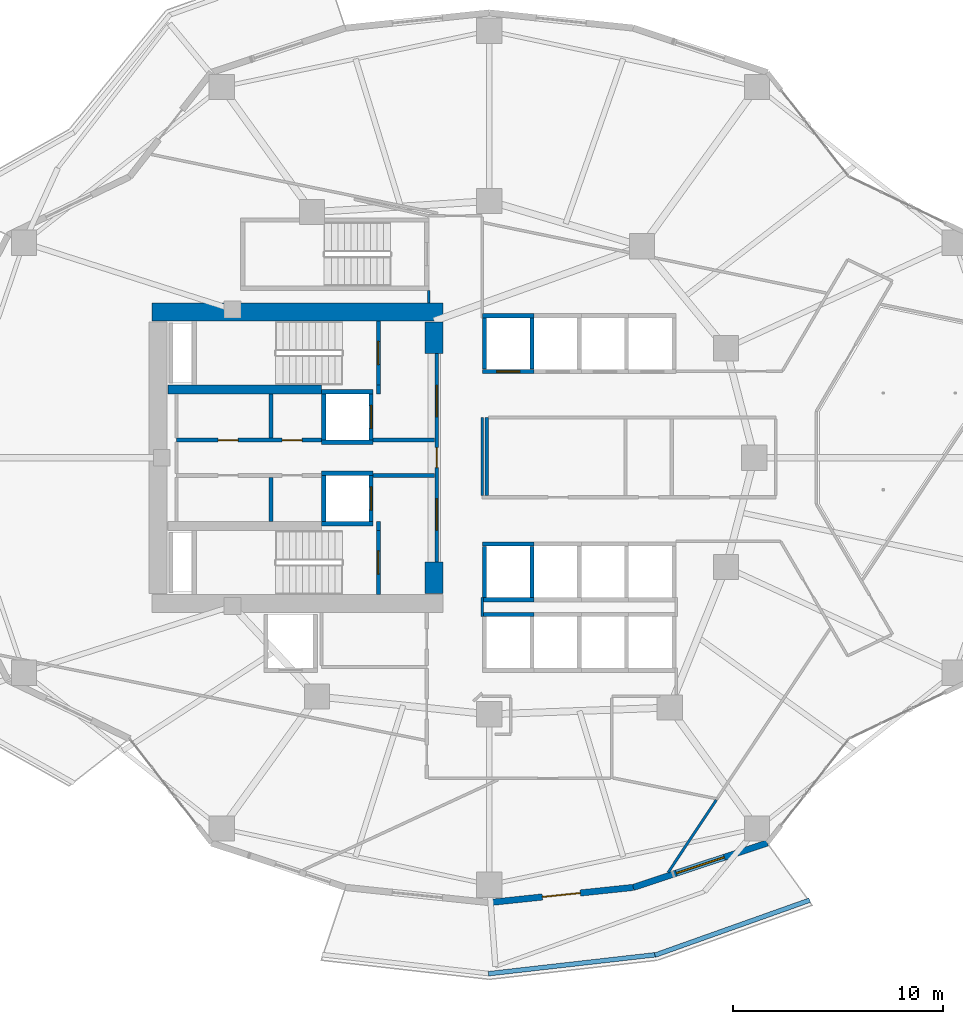
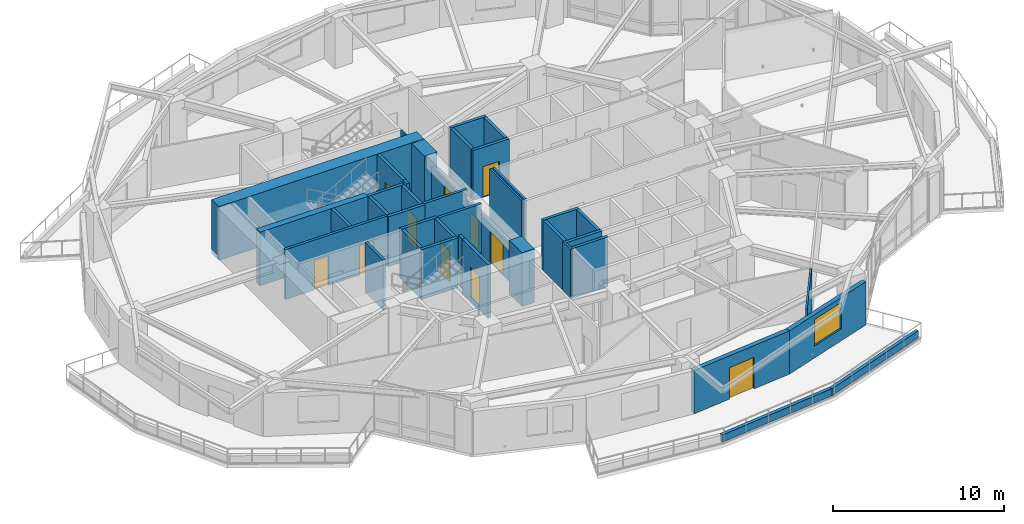
# One storey, part 9 of 18: 40 walls, 11 doors, 1 window, 12 openings.
"""IFC4 building model written with IfcOpenShell, lengths in metres."""

from ifc_helpers import new_model, si_unit, direction, frame, frame_2d, origin, place, context, subcontext, project, spatial, rectangle, extrude, material, layer, layer_set, type_object, element, fill, save


model = new_model("IFC4")

# Units and contexts
model_context = context("Model", 3, precision=1e-05, world=origin(), true_north=direction((0.0, 1.0)))
body_context = subcontext(model_context, "Body", "Model", "MODEL_VIEW")
ifc_project = project(units=[si_unit("LENGTHUNIT", "METRE"), si_unit("AREAUNIT", "SQUARE_METRE"), si_unit("VOLUMEUNIT", "CUBIC_METRE"), si_unit("PLANEANGLEUNIT", "RADIAN"), si_unit("MASSUNIT", "GRAM", prefix="KILO")], contexts=[model_context])

# Site, building, storey
site_placement = place(None, origin())
site = spatial("IfcSite", under=ifc_project, at=site_placement, CompositionType="ELEMENT")
building_placement = place(site_placement, origin())
building = spatial("IfcBuilding", under=site, at=building_placement, Name="Kolvaren Gate Tower and Convention Centre", CompositionType="ELEMENT")
storey_placement = place(building_placement, frame((0.0, 0.0, 61.14990234375)))
storey = spatial("IfcBuildingStorey", under=building, at=storey_placement, Name="L14", CompositionType="ELEMENT", Elevation=61.14990234375)

# Walls
ifc_material_1 = material(Name="Autoclaved Aerated Masonry Blockwork Class 4 (4.0 MPa)", Category="masonry")
ifc_layer_1 = layer(ifc_material_1, 0.179931640625)
ifc_layer_set_1 = layer_set([ifc_layer_1], Name="Autoclaved Aerated Masonry Blockwork Class 4 (4.0 MPa)")
wall_type_1 = type_object("IfcWallType", Name="ARCH-WL-COMP-180", PredefinedType="SOLIDWALL", material=ifc_layer_set_1)
for number, where, z_axis, x_axis, name in (
    (1, (24.85009765625, 23.5400390625, 0.0), (0.0, 0.0, 1.0), (0.0, 1.0, 0.0), "Interior Partition WL-L14-INT-001"),
    (2, (24.85009765625, 30.0400390625, 0.0), (0.0, 0.0, 1.0), (0.0, 1.0, 0.0), "Interior Partition WL-L14-INT-002"),
):
    element("IfcWall", number, at=place(storey_placement, frame(where, z_axis=z_axis, x_axis=x_axis)), inside=storey, type_object=wall_type_1, Name=name, PredefinedType="SOLIDWALL", context=body_context, shape_type="SweptSolid", body=[
        extrude(rectangle(XDim=0.419921875, YDim=0.179931640625, at=frame_2d((0.2099609375, 0.0))), origin(), (0.0, 0.0, 1.0), 3.570068359375),
    ])

# Wall, openings, doors
wall_1_placement = place(storey_placement, frame((27.6201171875, 22.050048828125, 0.0), z_axis=(0.0, 0.0, 1.0), x_axis=(0.0, 1.0, 0.0)))
wall_1 = element("IfcWall", 3, at=wall_1_placement, inside=storey, type_object=wall_type_1, Name="Interior Partition WL-L14-INT-003", PredefinedType="SOLIDWALL", context=body_context, shape_type="SweptSolid", body=[
    extrude(rectangle(XDim=9.89990234375, YDim=0.179931640625, at=frame_2d((4.949951171875, 0.0))), origin(), (0.0, 0.0, 1.0), 2.662109375),
])
opening_1_placement = place(wall_1_placement, frame((4.47509765625, 0.0, 0.0)))
opening_1 = element("IfcOpeningElement", 4, at=opening_1_placement, cuts=wall_1, Name="Opening DR-01", PredefinedType="OPENING", context=body_context, shape_type="SweptSolid", body=[
    extrude(rectangle(XDim=0.949951171875, YDim=2.10009765625, at=frame_2d((0.47509765625, 1.050048828125))), frame((0.0, 0.099853515625, 0.0), z_axis=(0.0, -1.0, 0.0), x_axis=(1.0, 0.0, 0.0)), (0.0, 0.0, 1.0), 0.199951171875),
])
opening_2_placement = place(wall_1_placement, frame((6.889892578125, 0.0, 0.0)))
opening_2 = element("IfcOpeningElement", 5, at=opening_2_placement, cuts=wall_1, Name="Opening DL-01", PredefinedType="OPENING", context=body_context, shape_type="SweptSolid", body=[
    extrude(rectangle(XDim=1.5, YDim=2.199951171875, at=frame_2d((0.75, 1.10009765625))), frame((0.0, 0.099853515625, 0.0), z_axis=(0.0, -1.0, 0.0), x_axis=(1.0, 0.0, 0.0)), (0.0, 0.0, 1.0), 0.199951171875),
])
opening_3_placement = place(wall_1_placement, frame((1.510009765625, 0.0, 0.0)))
opening_3 = element("IfcOpeningElement", 6, at=opening_3_placement, cuts=wall_1, Name="Opening DL-01", PredefinedType="OPENING", context=body_context, shape_type="SweptSolid", body=[
    extrude(rectangle(XDim=1.5, YDim=2.199951171875, at=frame_2d((0.75, 1.10009765625))), frame((0.0, 0.099853515625, 0.0), z_axis=(0.0, -1.0, 0.0), x_axis=(1.0, 0.0, 0.0)), (0.0, 0.0, 1.0), 0.199951171875),
])
ifc_material_2 = material(Name="Painted Architectural Steelwork ASTM A500 Grade C 345 MPa", Category="steel")
door_type_1 = type_object("IfcDoorType", Name="ARCH-DR-LOBBY-1500", OperationType="DOUBLE_DOOR_SINGLE_SWING", PredefinedType="DOOR", material=ifc_material_2)
door_1_placement = place(opening_2_placement, origin())
door_1 = element("IfcDoor", 7, at=door_1_placement, inside=storey, type_object=door_type_1, Name="North Firefighting Stair and Lift Lobby Door", OperationType="DOUBLE_DOOR_SINGLE_SWING", OverallHeight=2.199951171875, OverallWidth=1.5, PredefinedType="DOOR", context=body_context, shape_type="SweptSolid", body=[
    extrude(rectangle(XDim=1.5, YDim=2.199951171875, at=frame_2d((0.75, 1.10009765625))), frame((0.0, 0.02490234375, 0.0), z_axis=(0.0, -1.0, 0.0), x_axis=(1.0, 0.0, 0.0)), (0.0, 0.0, 1.0), 0.050048828125),
])
fill(opening_2, door_1)
door_2_placement = place(opening_3_placement, origin())
door_2 = element("IfcDoor", 8, at=door_2_placement, inside=storey, type_object=door_type_1, Name="South Firefighting Stair and Lift Lobby Door", OperationType="DOUBLE_DOOR_SINGLE_SWING", OverallHeight=2.199951171875, OverallWidth=1.5, PredefinedType="DOOR", context=body_context, shape_type="SweptSolid", body=[
    extrude(rectangle(XDim=1.5, YDim=2.199951171875, at=frame_2d((0.75, 1.10009765625))), frame((0.0, 0.02490234375, 0.0), z_axis=(0.0, -1.0, 0.0), x_axis=(1.0, 0.0, 0.0)), (0.0, 0.0, 1.0), 0.050048828125),
])
fill(opening_3, door_2)
door_type_2 = type_object("IfcDoorType", Name="ARCH-DR-RISER-950", OperationType="SINGLE_SWING_RIGHT", PredefinedType="DOOR", material=ifc_material_2)
door_3_placement = place(opening_1_placement, origin())
door_3 = element("IfcDoor", 9, at=door_3_placement, inside=storey, type_object=door_type_2, Name="Central MEP Service Corridor Door", OperationType="SINGLE_SWING_LEFT", OverallHeight=2.10009765625, OverallWidth=0.949951171875, PredefinedType="DOOR", context=body_context, shape_type="SweptSolid", body=[
    extrude(rectangle(XDim=0.949951171875, YDim=2.10009765625, at=frame_2d((0.47509765625, 1.050048828125))), frame((0.0, 0.02490234375, 0.0), z_axis=(0.0, -1.0, 0.0), x_axis=(1.0, 0.0, 0.0)), (0.0, 0.0, 1.0), 0.050048828125),
])
fill(opening_1, door_3)

wall_2_placement = place(storey_placement, frame((15.25, 27.840087890625, 0.0), z_axis=(0.0, 0.0, 1.0), x_axis=(1.0, 0.0, 0.0)))
wall_2 = element("IfcWall", 10, at=wall_2_placement, inside=storey, type_object=wall_type_1, Name="Interior Partition WL-L14-INT-004", PredefinedType="SOLIDWALL", context=body_context, shape_type="SweptSolid", body=[
    extrude(rectangle(XDim=6.89990234375, YDim=0.179931640625, at=frame_2d((3.449951171875, 0.0))), origin(), (0.0, 0.0, 1.0), 3.570068359375),
])
opening_4_placement = place(wall_2_placement, frame((5.02001953125, 0.0, 0.0)))
opening_4 = element("IfcOpeningElement", 11, at=opening_4_placement, cuts=wall_2, Name="Opening DR-01", PredefinedType="OPENING", context=body_context, shape_type="SweptSolid", body=[
    extrude(rectangle(XDim=0.949951171875, YDim=2.10009765625, at=frame_2d((0.47509765625, 1.050048828125))), frame((0.0, 0.099853515625, 0.0), z_axis=(0.0, -1.0, 0.0), x_axis=(1.0, 0.0, 0.0)), (0.0, 0.0, 1.0), 0.199951171875),
])
opening_5_placement = place(wall_2_placement, frame((1.97998046875, 0.0, 0.0)))
opening_5 = element("IfcOpeningElement", 12, at=opening_5_placement, cuts=wall_2, Name="Opening DR-01", PredefinedType="OPENING", context=body_context, shape_type="SweptSolid", body=[
    extrude(rectangle(XDim=0.949951171875, YDim=2.10009765625, at=frame_2d((0.47509765625, 1.050048828125))), frame((0.0, 0.099853515625, 0.0), z_axis=(0.0, -1.0, 0.0), x_axis=(1.0, 0.0, 0.0)), (0.0, 0.0, 1.0), 0.199951171875),
])
door_4_placement = place(opening_4_placement, origin())
door_4 = element("IfcDoor", 13, at=door_4_placement, inside=storey, type_object=door_type_2, Name="Electrical Switchgear Closet Door", OperationType="SINGLE_SWING_RIGHT", OverallHeight=2.10009765625, OverallWidth=0.949951171875, PredefinedType="DOOR", context=body_context, shape_type="SweptSolid", body=[
    extrude(rectangle(XDim=0.949951171875, YDim=2.10009765625, at=frame_2d((0.47509765625, 1.050048828125))), frame((0.0, 0.02490234375, 0.0), z_axis=(0.0, -1.0, 0.0), x_axis=(1.0, 0.0, 0.0)), (0.0, 0.0, 1.0), 0.050048828125),
])
fill(opening_4, door_4)
door_5_placement = place(opening_5_placement, origin())
door_5 = element("IfcDoor", 14, at=door_5_placement, inside=storey, type_object=door_type_2, Name="Staff Powder Washroom Door", OperationType="SINGLE_SWING_RIGHT", OverallHeight=2.10009765625, OverallWidth=0.949951171875, PredefinedType="DOOR", context=body_context, shape_type="SweptSolid", body=[
    extrude(rectangle(XDim=0.949951171875, YDim=2.10009765625, at=frame_2d((0.47509765625, 1.050048828125))), frame((0.0, 0.02490234375, 0.0), z_axis=(0.0, -1.0, 0.0), x_axis=(1.0, 0.0, 0.0)), (0.0, 0.0, 1.0), 0.050048828125),
])
fill(opening_5, door_5)

# Walls
for number, where, z_axis, x_axis, name in (
    (15, (24.60009765625, 27.840087890625, 0.0), (0.0, 0.0, 1.0), (1.0, 0.0, 0.0), "Interior Partition WL-L14-INT-004 (2)"),
    (16, (24.60009765625, 26.159912109375, 0.0), (0.0, 0.0, 1.0), (1.0, 0.0, 0.0), "Interior Partition WL-L14-INT-005 (2)"),
):
    element("IfcWall", number, at=place(storey_placement, frame(where, z_axis=z_axis, x_axis=x_axis)), inside=storey, type_object=wall_type_1, Name=name, PredefinedType="SOLIDWALL", context=body_context, shape_type="SweptSolid", body=[
        extrude(rectangle(XDim=2.927978515625, YDim=0.179931640625, at=frame_2d((1.4638671875, 0.0))), origin(), (0.0, 0.0, 1.0), 3.570068359375),
    ])
for number, where, z_axis, x_axis, name in (
    (17, (19.75, 23.9619140625, 0.0), (0.0, 0.0, 1.0), (0.0, 1.0, 0.0), "Interior Partition WL-L14-INT-007"),
    (18, (19.75, 27.931884765625, 0.0), (0.0, 0.0, 1.0), (0.0, 1.0, 0.0), "Interior Partition WL-L14-INT-008"),
):
    element("IfcWall", number, at=place(storey_placement, frame(where, z_axis=z_axis, x_axis=x_axis)), inside=storey, type_object=wall_type_1, Name=name, PredefinedType="SOLIDWALL", context=body_context, shape_type="SweptSolid", body=[
        extrude(rectangle(XDim=2.106201171875, YDim=0.179931640625, at=frame_2d((1.05322265625, 0.0))), origin(), (0.0, 0.0, 1.0), 3.570068359375),
    ])
ifc_material_3 = material(Name="Fire-Rated Acoustic Gypsum Stud Partition", Category="gypsum")
ifc_layer_2 = layer(ifc_material_3, 0.1201171875)
ifc_layer_set_2 = layer_set([ifc_layer_2], Name="Fire-Rated Acoustic Gypsum Stud Partition")
wall_type_2 = type_object("IfcWallType", Name="ARCH-WL-PART-120", PredefinedType="PARTITIONING", material=ifc_layer_set_2)
wall_3_placement = place(storey_placement, frame((27.25, 34.35205078125, 0.0), z_axis=(0.0, 0.0, 1.0), x_axis=(0.0, 1.0, 0.0)))
element("IfcWall", 19, at=wall_3_placement, inside=storey, type_object=wall_type_2, Name="Interior Partition WL-L14-INT-021", PredefinedType="PARTITIONING", context=body_context, shape_type="SweptSolid", body=[
    extrude(rectangle(XDim=0.60595703125, YDim=0.1201171875, at=frame_2d((0.302978515625, 0.0))), origin(), (0.0, 0.0, 1.0), 3.570068359375),
])
wall_4_placement = place(storey_placement, frame((29.780029296875, 19.43994140625, 0.0), z_axis=(0.0, 0.0, 1.0), x_axis=(0.0, 1.0, 0.0)))
element("IfcWall", 20, at=wall_4_placement, inside=storey, type_object=wall_type_2, Name="Interior Partition WL-L14-INT-023", PredefinedType="PARTITIONING", context=body_context, shape_type="SweptSolid", body=[
    extrude(rectangle(XDim=0.920166015625, YDim=0.1201171875, at=frame_2d((0.4599609375, 0.0))), origin(), (0.0, 0.0, 1.0), 3.570068359375),
])
wall_5_placement = place(storey_placement, frame((29.780029296875, 25.197021484375, 0.0), z_axis=(0.0, 0.0, 1.0), x_axis=(0.0, 1.0, 0.0)))
element("IfcWall", 21, at=wall_5_placement, inside=storey, type_object=wall_type_2, Name="Interior Partition WL-L14-INT-024", PredefinedType="PARTITIONING", context=body_context, shape_type="SweptSolid", body=[
    extrude(rectangle(XDim=3.722900390625, YDim=0.1201171875, at=frame_2d((1.861328125, 0.0))), origin(), (0.0, 0.0, 1.0), 3.570068359375),
])
wall_6_placement = place(storey_placement, frame((38.62548828125, 7.2802734375, 0.0), z_axis=(0.0, 0.0, 1.0), x_axis=(0.553106233715, 0.833110733471, 0.0)))
element("IfcWall", 22, at=wall_6_placement, inside=storey, type_object=wall_type_2, Name="Interior Partition WL-L14-INT-043", PredefinedType="PARTITIONING", context=body_context, shape_type="SweptSolid", body=[
    extrude(rectangle(XDim=4.13818359375, YDim=0.1201171875, at=frame_2d((2.069091796875, 0.0))), origin(), (0.0, 0.0, 1.0), 3.570068359375),
])
ifc_material_4 = material(Name="Piedmont Cream Honed Limestone Cladding", Category="masonry")
ifc_layer_3 = layer(ifc_material_4, 0.219970703125)
ifc_layer_set_3 = layer_set([ifc_layer_3], Name="Piedmont Cream Honed Limestone Cladding")
wall_type_3 = type_object("IfcWallType", Name="ARCH-WL-PLANTER-220", PredefinedType="PARAPET", material=ifc_layer_set_3)
wall_7_placement = place(storey_placement, frame((30.07958984375, 2.46630859375, 0.0), z_axis=(0.0, 0.0, 1.0), x_axis=(0.993598144351, 0.112972242349, 0.0)))
element("IfcWall", 23, at=wall_7_placement, inside=storey, type_object=wall_type_3, Name="Vertical-Forest Balcony Stone Planter Kerb PK-L14-3.2", PredefinedType="PARAPET", context=body_context, shape_type="SweptSolid", body=[
    extrude(rectangle(XDim=8.056396484375, YDim=0.219970703125, at=frame_2d((4.0283203125, 0.0))), origin(), (0.0, 0.0, 1.0), 0.52001953125),
])
wall_8_placement = place(storey_placement, frame((38.001220703125, 3.348876953125, 0.0), z_axis=(0.0, 0.0, 1.0), x_axis=(0.942203722205, 0.335040513764, 0.0)))
element("IfcWall", 24, at=wall_8_placement, inside=storey, type_object=wall_type_3, Name="Vertical-Forest Balcony Stone Planter Kerb PK-L14-3.3", PredefinedType="PARAPET", context=body_context, shape_type="SweptSolid", body=[
    extrude(rectangle(XDim=7.80712890625, YDim=0.219970703125, at=frame_2d((3.903564453125, 0.0))), origin(), (0.0, 0.0, 1.0), 0.52001953125),
])
ifc_layer_4 = layer(ifc_material_1, 0.199951171875)
ifc_layer_set_4 = layer_set([ifc_layer_4], Name="Autoclaved Aerated Masonry Blockwork Class 4 (4.0 MPa)")
wall_type_4 = type_object("IfcWallType", Name="ARCH-WL-SHAFT-200", PredefinedType="SOLIDWALL", material=ifc_layer_set_4)
for number, where, z_axis, x_axis, name in (
    (25, (22.14990234375, 30.139892578125, 0.0), (0.0, 0.0, 1.0), (1.0, 0.0, 0.0), "Elevator FF-01 L14 Fire Shaft Wall N"),
    (26, (22.14990234375, 27.739990234375, 0.0), (0.0, 0.0, 1.0), (1.0, 0.0, 0.0), "Elevator FF-01 L14 Fire Shaft Wall S"),
):
    element("IfcWall", number, at=place(storey_placement, frame(where, z_axis=z_axis, x_axis=x_axis)), inside=storey, type_object=wall_type_4, Name=name, PredefinedType="SOLIDWALL", context=body_context, shape_type="SweptSolid", body=[
        extrude(rectangle(XDim=2.4501953125, YDim=0.199951171875, at=frame_2d((1.22509765625, 0.0))), origin(), (0.0, 0.0, 1.0), 3.570068359375),
    ])
wall_9_placement = place(storey_placement, frame((22.25, 27.85009765625, 0.0), z_axis=(0.0, 0.0, 1.0), x_axis=(0.0, 1.0, 0.0)))
element("IfcWall", 27, at=wall_9_placement, inside=storey, type_object=wall_type_4, Name="Elevator FF-01 L14 Fire Shaft Wall W", PredefinedType="SOLIDWALL", context=body_context, shape_type="SweptSolid", body=[
    extrude(rectangle(XDim=2.179931640625, YDim=0.199951171875, at=frame_2d((1.08984375, 0.0))), origin(), (0.0, 0.0, 1.0), 3.570068359375),
])

# Wall, opening, door
wall_10_placement = place(storey_placement, frame((24.5, 27.85009765625, 0.0), z_axis=(0.0, 0.0, 1.0), x_axis=(0.0, 1.0, 0.0)))
wall_10 = element("IfcWall", 28, at=wall_10_placement, inside=storey, type_object=wall_type_4, Name="Elevator FF-01 L14 Fire Shaft Wall E", PredefinedType="SOLIDWALL", context=body_context, shape_type="SweptSolid", body=[
    extrude(rectangle(XDim=2.179931640625, YDim=0.199951171875, at=frame_2d((1.08984375, 0.0))), origin(), (0.0, 0.0, 1.0), 3.570068359375),
])
opening_6_placement = place(wall_10_placement, frame((0.5400390625, 0.0, 0.0)))
opening_6 = element("IfcOpeningElement", 29, at=opening_6_placement, cuts=wall_10, Name="Opening LD", PredefinedType="OPENING", context=body_context, shape_type="SweptSolid", body=[
    extrude(rectangle(XDim=1.10009765625, YDim=2.199951171875, at=frame_2d((0.550048828125, 1.10009765625))), frame((0.0, 0.10986328125, 0.0), z_axis=(0.0, -1.0, 0.0), x_axis=(1.0, 0.0, 0.0)), (0.0, 0.0, 1.0), 0.219970703125),
])
ifc_material_5 = material(Name="Brushed Stainless Steel Grade 316L", Category="steel")
door_type_3 = type_object("IfcDoorType", Name="ARCH-DR-LIFT-1100", OperationType="SLIDING_TO_LEFT", PredefinedType="DOOR", material=ifc_material_5)
door_6_placement = place(opening_6_placement, origin())
door_6 = element("IfcDoor", 30, at=door_6_placement, inside=storey, type_object=door_type_3, Name="Elevator FF-01 L14 Sliding Landing Door", OperationType="SLIDING_TO_LEFT", OverallHeight=2.199951171875, OverallWidth=1.10009765625, PredefinedType="DOOR", context=body_context, shape_type="SweptSolid", body=[
    extrude(rectangle(XDim=1.10009765625, YDim=2.199951171875, at=frame_2d((0.550048828125, 1.10009765625))), frame((0.0, 0.02490234375, 0.0), z_axis=(0.0, -1.0, 0.0), x_axis=(1.0, 0.0, 0.0)), (0.0, 0.0, 1.0), 0.050048828125),
])
fill(opening_6, door_6)

# Walls
for number, where, z_axis, x_axis, name in (
    (31, (22.14990234375, 26.260009765625, 0.0), (0.0, 0.0, 1.0), (1.0, 0.0, 0.0), "Elevator FF-02 L14 Fire Shaft Wall N"),
    (32, (22.14990234375, 23.860107421875, 0.0), (0.0, 0.0, 1.0), (1.0, 0.0, 0.0), "Elevator FF-02 L14 Fire Shaft Wall S"),
):
    element("IfcWall", number, at=place(storey_placement, frame(where, z_axis=z_axis, x_axis=x_axis)), inside=storey, type_object=wall_type_4, Name=name, PredefinedType="SOLIDWALL", context=body_context, shape_type="SweptSolid", body=[
        extrude(rectangle(XDim=2.4501953125, YDim=0.199951171875, at=frame_2d((1.22509765625, 0.0))), origin(), (0.0, 0.0, 1.0), 3.570068359375),
    ])
wall_11_placement = place(storey_placement, frame((22.25, 23.969970703125, 0.0), z_axis=(0.0, 0.0, 1.0), x_axis=(0.0, 1.0, 0.0)))
element("IfcWall", 33, at=wall_11_placement, inside=storey, type_object=wall_type_4, Name="Elevator FF-02 L14 Fire Shaft Wall W", PredefinedType="SOLIDWALL", context=body_context, shape_type="SweptSolid", body=[
    extrude(rectangle(XDim=2.179931640625, YDim=0.199951171875, at=frame_2d((1.08984375, 0.0))), origin(), (0.0, 0.0, 1.0), 3.570068359375),
])

# Wall, opening, door
wall_12_placement = place(storey_placement, frame((24.5, 23.969970703125, 0.0), z_axis=(0.0, 0.0, 1.0), x_axis=(0.0, 1.0, 0.0)))
wall_12 = element("IfcWall", 34, at=wall_12_placement, inside=storey, type_object=wall_type_4, Name="Elevator FF-02 L14 Fire Shaft Wall E", PredefinedType="SOLIDWALL", context=body_context, shape_type="SweptSolid", body=[
    extrude(rectangle(XDim=2.179931640625, YDim=0.199951171875, at=frame_2d((1.08984375, 0.0))), origin(), (0.0, 0.0, 1.0), 3.570068359375),
])
opening_7_placement = place(wall_12_placement, frame((0.5400390625, 0.0, 0.0)))
opening_7 = element("IfcOpeningElement", 35, at=opening_7_placement, cuts=wall_12, Name="Opening LD", PredefinedType="OPENING", context=body_context, shape_type="SweptSolid", body=[
    extrude(rectangle(XDim=1.10009765625, YDim=2.199951171875, at=frame_2d((0.550048828125, 1.10009765625))), frame((0.0, 0.10986328125, 0.0), z_axis=(0.0, -1.0, 0.0), x_axis=(1.0, 0.0, 0.0)), (0.0, 0.0, 1.0), 0.219970703125),
])
door_7_placement = place(opening_7_placement, origin())
door_7 = element("IfcDoor", 36, at=door_7_placement, inside=storey, type_object=door_type_3, Name="Elevator FF-02 L14 Sliding Landing Door", OperationType="SLIDING_TO_LEFT", OverallHeight=2.199951171875, OverallWidth=1.10009765625, PredefinedType="DOOR", context=body_context, shape_type="SweptSolid", body=[
    extrude(rectangle(XDim=1.10009765625, YDim=2.199951171875, at=frame_2d((0.550048828125, 1.10009765625))), frame((0.0, 0.02490234375, 0.0), z_axis=(0.0, -1.0, 0.0), x_axis=(1.0, 0.0, 0.0)), (0.0, 0.0, 1.0), 0.050048828125),
])
fill(opening_7, door_7)

# Wall
wall_13_placement = place(storey_placement, frame((29.800048828125, 33.75, 0.0), z_axis=(0.0, 0.0, 1.0), x_axis=(1.0, 0.0, 0.0)))
element("IfcWall", 37, at=wall_13_placement, inside=storey, type_object=wall_type_4, Name="Elevator PL-01 L14 Fire Shaft Wall N", PredefinedType="SOLIDWALL", context=body_context, shape_type="SweptSolid", body=[
    extrude(rectangle(XDim=2.449951171875, YDim=0.199951171875, at=frame_2d((1.22509765625, 0.0))), origin(), (0.0, 0.0, 1.0), 3.570068359375),
])

# Wall, opening, door
wall_14_placement = place(storey_placement, frame((29.800048828125, 31.10009765625, 0.0), z_axis=(0.0, 0.0, 1.0), x_axis=(1.0, 0.0, 0.0)))
wall_14 = element("IfcWall", 38, at=wall_14_placement, inside=storey, type_object=wall_type_4, Name="Elevator PL-01 L14 Fire Shaft Wall S", PredefinedType="SOLIDWALL", context=body_context, shape_type="SweptSolid", body=[
    extrude(rectangle(XDim=2.449951171875, YDim=0.199951171875, at=frame_2d((1.22509765625, 0.0))), origin(), (0.0, 0.0, 1.0), 3.570068359375),
])
opening_8_placement = place(wall_14_placement, frame((0.675048828125, 0.0, 0.0)))
opening_8 = element("IfcOpeningElement", 39, at=opening_8_placement, cuts=wall_14, Name="Opening LD", PredefinedType="OPENING", context=body_context, shape_type="SweptSolid", body=[
    extrude(rectangle(XDim=1.10009765625, YDim=2.199951171875, at=frame_2d((0.550048828125, 1.10009765625))), frame((0.0, 0.10986328125, 0.0), z_axis=(0.0, -1.0, 0.0), x_axis=(1.0, 0.0, 0.0)), (0.0, 0.0, 1.0), 0.219970703125),
])
door_8_placement = place(opening_8_placement, origin())
door_8 = element("IfcDoor", 40, at=door_8_placement, inside=storey, type_object=door_type_3, Name="Elevator PL-01 L14 Sliding Landing Door", OperationType="SLIDING_TO_LEFT", OverallHeight=2.199951171875, OverallWidth=1.10009765625, PredefinedType="DOOR", context=body_context, shape_type="SweptSolid", body=[
    extrude(rectangle(XDim=1.10009765625, YDim=2.199951171875, at=frame_2d((0.550048828125, 1.10009765625))), frame((0.0, 0.02490234375, 0.0), z_axis=(0.0, -1.0, 0.0), x_axis=(1.0, 0.0, 0.0)), (0.0, 0.0, 1.0), 0.050048828125),
])
fill(opening_8, door_8)

# Walls
for number, where, z_axis, x_axis, name in (
    (41, (29.89990234375, 31.2099609375, 0.0), (0.0, 0.0, 1.0), (0.0, 1.0, 0.0), "Elevator PL-01 L14 Fire Shaft Wall W"),
    (42, (32.14990234375, 31.2099609375, 0.0), (0.0, 0.0, 1.0), (0.0, 1.0, 0.0), "Elevator PL-01 L14 Fire Shaft Wall E"),
):
    element("IfcWall", number, at=place(storey_placement, frame(where, z_axis=z_axis, x_axis=x_axis)), inside=storey, type_object=wall_type_4, Name=name, PredefinedType="SOLIDWALL", context=body_context, shape_type="SweptSolid", body=[
        extrude(rectangle(XDim=2.429931640625, YDim=0.199951171875, at=frame_2d((1.21484375, 0.0))), origin(), (0.0, 0.0, 1.0), 3.570068359375),
    ])
for number, where, z_axis, x_axis, name in (
    (43, (29.800048828125, 19.550048828125, 0.0), (0.0, 0.0, 1.0), (1.0, 0.0, 0.0), "Elevator PL-05 L14 Fire Shaft Wall N"),
    (44, (29.800048828125, 22.89990234375, 0.0), (0.0, 0.0, 1.0), (1.0, 0.0, 0.0), "Elevator PL-09 L14 Fire Shaft Wall N"),
    (45, (29.800048828125, 20.25, 0.0), (0.0, 0.0, 1.0), (1.0, 0.0, 0.0), "Elevator PL-09 L14 Fire Shaft Wall S"),
):
    element("IfcWall", number, at=place(storey_placement, frame(where, z_axis=z_axis, x_axis=x_axis)), inside=storey, type_object=wall_type_4, Name=name, PredefinedType="SOLIDWALL", context=body_context, shape_type="SweptSolid", body=[
        extrude(rectangle(XDim=2.449951171875, YDim=0.199951171875, at=frame_2d((1.22509765625, 0.0))), origin(), (0.0, 0.0, 1.0), 3.570068359375),
    ])
for number, where, z_axis, x_axis, name in (
    (46, (29.89990234375, 20.360107421875, 0.0), (0.0, 0.0, 1.0), (0.0, 1.0, 0.0), "Elevator PL-09 L14 Fire Shaft Wall W"),
    (47, (32.14990234375, 20.360107421875, 0.0), (0.0, 0.0, 1.0), (0.0, 1.0, 0.0), "Elevator PL-09 L14 Fire Shaft Wall E"),
):
    element("IfcWall", number, at=place(storey_placement, frame(where, z_axis=z_axis, x_axis=x_axis)), inside=storey, type_object=wall_type_4, Name=name, PredefinedType="SOLIDWALL", context=body_context, shape_type="SweptSolid", body=[
        extrude(rectangle(XDim=2.429931640625, YDim=0.199951171875, at=frame_2d((1.21484375, 0.0))), origin(), (0.0, 0.0, 1.0), 3.570068359375),
    ])

# Wall, opening, door
ifc_layer_5 = layer(ifc_material_4, 0.300048828125)
ifc_layer_set_5 = layer_set([ifc_layer_5], Name="Piedmont Cream Honed Limestone Cladding")
wall_type_5 = type_object("IfcWallType", Name="ARCH-WL-STONE-300", PredefinedType="SOLIDWALL", material=ifc_layer_set_5)
wall_15_placement = place(storey_placement, frame((30.125, 5.85009765625, 0.0), z_axis=(0.0, 0.0, 1.0), x_axis=(0.994498840295, 0.104747585419, 0.0)))
wall_15 = element("IfcWall", 48, at=wall_15_placement, inside=storey, type_object=wall_type_5, Name="Tower L14 Honed Stone Spandrel Wall EW-18", PredefinedType="SOLIDWALL", context=body_context, shape_type="SweptSolid", body=[
    extrude(rectangle(XDim=6.88037109375, YDim=0.300048828125, at=frame_2d((3.440185546875, 0.0))), origin(), (0.0, 0.0, 1.0), 3.093017578125),
])
opening_9_placement = place(wall_15_placement, frame((2.5400390625, 0.0, 0.0)))
opening_9 = element("IfcOpeningElement", 49, at=opening_9_placement, cuts=wall_15, Name="Opening DB-01", PredefinedType="OPENING", context=body_context, shape_type="SweptSolid", body=[
    extrude(rectangle(XDim=1.800048828125, YDim=2.25, at=frame_2d((0.89990234375, 1.125))), frame((0.0, 0.159912109375, 0.0), z_axis=(0.0, -1.0, 0.0), x_axis=(1.0, 0.0, 0.0)), (0.0, 0.0, 1.0), 0.320068359375),
])
ifc_material_6 = material(Name="Anodized Architectural Aluminium Alloy 6063-T6", Category="aluminium")
door_type_4 = type_object("IfcDoorType", Name="ARCH-DR-BALC-1800", OperationType="SLIDING_TO_LEFT", PredefinedType="DOOR", material=ifc_material_6)
door_9_placement = place(opening_9_placement, frame((1.800048828125, 0.0, 0.0), z_axis=(0.0, 0.0, 1.0), x_axis=(-1.0, 0.0, 0.0)))
door_9 = element("IfcDoor", 50, at=door_9_placement, inside=storey, type_object=door_type_4, Name="Planted Sky Terrace Access Door DB-L14-18", OperationType="SLIDING_TO_LEFT", OverallHeight=2.25, OverallWidth=1.800048828125, PredefinedType="DOOR", context=body_context, shape_type="SweptSolid", body=[
    extrude(rectangle(XDim=1.800048828125, YDim=2.25, at=frame_2d((0.89990234375, 1.125))), frame((0.0, 0.02490234375, 0.0), z_axis=(0.0, -1.0, 0.0), x_axis=(1.0, 0.0, 0.0)), (0.0, 0.0, 1.0), 0.050048828125),
])
fill(opening_9, door_9)

# Wall, opening, window
wall_16_placement = place(storey_placement, frame((36.967529296875, 6.57080078125, 0.0), z_axis=(0.0, 0.0, 1.0), x_axis=(0.949245153629, 0.314537181127, 0.0)))
wall_16 = element("IfcWall", 51, at=wall_16_placement, inside=storey, type_object=wall_type_5, Name="Tower L14 Honed Stone Spandrel Wall EW-19", PredefinedType="SOLIDWALL", context=body_context, shape_type="SweptSolid", body=[
    extrude(rectangle(XDim=6.717041015625, YDim=0.300048828125, at=frame_2d((3.3583984375, 0.0))), origin(), (0.0, 0.0, 1.0), 3.093017578125),
])
opening_10_placement = place(wall_16_placement, frame((2.158935546875, 0.0, 0.85009765625)))
opening_10 = element("IfcOpeningElement", 52, at=opening_10_placement, cuts=wall_16, Name="Opening W-01", PredefinedType="OPENING", context=body_context, shape_type="SweptSolid", body=[
    extrude(rectangle(XDim=2.39990234375, YDim=1.89990234375, at=frame_2d((1.199951171875, 0.949951171875))), frame((0.0, 0.159912109375, 0.0), z_axis=(0.0, -1.0, 0.0), x_axis=(1.0, 0.0, 0.0)), (0.0, 0.0, 1.0), 0.320068359375),
])
ifc_material_7 = material(Name="Low-E Triple Insulated Glazing Unit 44 mm", Category="glass")
window_type = type_object("IfcWindowType", Name="ARCH-WN-OFF-2400", PartitioningType="SINGLE_PANEL", PredefinedType="WINDOW", material=ifc_material_7)
window_placement = place(opening_10_placement, origin())
window = element("IfcWindow", 53, at=window_placement, inside=storey, type_object=window_type, Name="Tower L14 Punched Stone Facade Window W-19", OverallHeight=1.89990234375, OverallWidth=2.39990234375, PartitioningType="SINGLE_PANEL", PredefinedType="WINDOW", context=body_context, shape_type="SweptSolid", body=[
    extrude(rectangle(XDim=2.39990234375, YDim=1.89990234375, at=frame_2d((1.199951171875, 0.949951171875))), frame((0.0, 0.030029296875, 0.0), z_axis=(0.0, -1.0, 0.0), x_axis=(1.0, 0.0, 0.0)), (0.0, 0.0, 1.0), 0.06005859375),
])
fill(opening_10, window)

# Walls
ifc_material_8 = material(Name="Moisture-Resistant Cement-Board Acoustic Partition", Category="gypsum")
ifc_layer_6 = layer(ifc_material_8, 0.14990234375)
ifc_layer_set_6 = layer_set([ifc_layer_6], Name="Moisture-Resistant Cement-Board Acoustic Partition")
wall_type_6 = type_object("IfcWallType", Name="ARCH-WL-WET-150", PredefinedType="PARTITIONING", material=ifc_layer_set_6)
wall_17_placement = place(storey_placement, frame((30.0, 25.197021484375, 0.0), z_axis=(0.0, 0.0, 1.0), x_axis=(0.0, 1.0, 0.0)))
element("IfcWall", 54, at=wall_17_placement, inside=storey, type_object=wall_type_6, Name="Interior Partition WL-L14-INT-013", PredefinedType="PARTITIONING", context=body_context, shape_type="SweptSolid", body=[
    extrude(rectangle(XDim=3.722900390625, YDim=0.14990234375, at=frame_2d((1.861328125, 0.0))), origin(), (0.0, 0.0, 1.0), 3.570068359375),
])
ifc_material_9 = material(Name="Concrete C50/60", Category="concrete")
ifc_layer_7 = layer(ifc_material_9, 0.419921875)
ifc_layer_set_7 = layer_set([ifc_layer_7], Name="Concrete C50/60")
wall_type_7 = type_object("IfcWallType", Name="STR-WL-CONV-420", PredefinedType="SHEAR", material=ifc_layer_set_7)
wall_18_placement = place(storey_placement, frame((14.85009765625, 30.25, -0.27978515625), z_axis=(0.0, 0.0, 1.0), x_axis=(1.0, 0.0, 0.0)))
element("IfcWall", 55, at=wall_18_placement, inside=storey, type_object=wall_type_7, Name="Tower L14 Offset Core Shear Wall WN", PredefinedType="SHEAR", context=body_context, shape_type="SweptSolid", body=[
    extrude(rectangle(XDim=7.2998046875, YDim=0.419921875, at=frame_2d((3.64990234375, 0.0))), origin(), (0.0, 0.0, 1.0), 3.849853515625),
])
ifc_material_10 = material(Name="Concrete C70/85", Category="concrete")
ifc_layer_8 = layer(ifc_material_10, 0.85009765625)
ifc_layer_set_8 = layer_set([ifc_layer_8], Name="Concrete C70/85")
wall_type_8 = type_object("IfcWallType", Name="STR-WL-CORE-850", PredefinedType="SHEAR", material=ifc_layer_set_8)
wall_19_placement = place(storey_placement, frame((14.074951171875, 33.925048828125, -0.27978515625), z_axis=(0.0, 0.0, 1.0), x_axis=(1.0, 0.0, 0.0)))
element("IfcWall", 56, at=wall_19_placement, inside=storey, type_object=wall_type_8, Name="Tower L14 Offset Core Shear Wall N", PredefinedType="SHEAR", context=body_context, shape_type="SweptSolid", body=[
    extrude(rectangle(XDim=13.85009765625, YDim=0.85009765625, at=frame_2d((6.925048828125, 0.0))), origin(), (0.0, 0.0, 1.0), 3.849853515625),
])
for number, where, z_axis, x_axis, name in (
    (57, (27.5, 31.949951171875, -0.27978515625), (0.0, 0.0, 1.0), (0.0, 1.0, 0.0), "Tower L14 Offset Core Shear Wall EN"),
    (58, (27.5, 20.550048828125, -0.27978515625), (0.0, 0.0, 1.0), (0.0, 1.0, 0.0), "Tower L14 Offset Core Shear Wall ES"),
):
    element("IfcWall", number, at=place(storey_placement, frame(where, z_axis=z_axis, x_axis=x_axis)), inside=storey, type_object=wall_type_8, Name=name, PredefinedType="SHEAR", context=body_context, shape_type="SweptSolid", body=[
        extrude(rectangle(XDim=1.5, YDim=0.85009765625, at=frame_2d((0.75, 0.0))), origin(), (0.0, 0.0, 1.0), 3.849853515625),
    ])

# Wall, opening, door
ifc_layer_9 = layer(ifc_material_9, 0.199951171875)
ifc_layer_set_9 = layer_set([ifc_layer_9], Name="Concrete C50/60")
wall_type_9 = type_object("IfcWallType", Name="STR-WL-SHAFT-200", PredefinedType="SHEAR", material=ifc_layer_set_9)
wall_20_placement = place(storey_placement, frame((24.85009765625, 30.4599609375, -0.27978515625), z_axis=(0.0, 0.0, 1.0), x_axis=(0.0, 1.0, 0.0)))
wall_20 = element("IfcWall", 59, at=wall_20_placement, inside=storey, type_object=wall_type_9, Name="Tower North Exit Stair ST-T1 L14 Structural Shear Enclosure Wall NEAR", PredefinedType="SHEAR", context=body_context, shape_type="SweptSolid", body=[
    extrude(rectangle(XDim=3.0380859375, YDim=0.199951171875, at=frame_2d((1.51904296875, 0.0))), origin(), (0.0, 0.0, 1.0), 3.849853515625),
])
opening_11_placement = place(wall_20_placement, frame((0.968994140625, 0.0, 0.280029296875)))
opening_11 = element("IfcOpeningElement", 60, at=opening_11_placement, cuts=wall_20, Name="Opening DS-01", PredefinedType="OPENING", context=body_context, shape_type="SweptSolid", body=[
    extrude(rectangle(XDim=1.10009765625, YDim=2.14990234375, at=frame_2d((0.550048828125, 1.074951171875))), frame((0.0, 0.10986328125, 0.0), z_axis=(0.0, -1.0, 0.0), x_axis=(1.0, 0.0, 0.0)), (0.0, 0.0, 1.0), 0.219970703125),
])
door_type_5 = type_object("IfcDoorType", Name="ARCH-DR-STAIR-1100", OperationType="SINGLE_SWING_LEFT", PredefinedType="DOOR", material=ifc_material_2)
door_10_placement = place(opening_11_placement, origin())
door_10 = element("IfcDoor", 61, at=door_10_placement, inside=storey, type_object=door_type_5, Name="Tower North Exit Stair ST-T1 L14 Fire Exit Stair Door", OperationType="SINGLE_SWING_RIGHT", OverallHeight=2.14990234375, OverallWidth=1.10009765625, PredefinedType="DOOR", context=body_context, shape_type="SweptSolid", body=[
    extrude(rectangle(XDim=1.10009765625, YDim=2.14990234375, at=frame_2d((0.550048828125, 1.074951171875))), frame((0.0, 0.02490234375, 0.0), z_axis=(0.0, -1.0, 0.0), x_axis=(1.0, 0.0, 0.0)), (0.0, 0.0, 1.0), 0.050048828125),
])
fill(opening_11, door_10)

wall_21_placement = place(storey_placement, frame((24.85009765625, 20.501953125, -0.27978515625), z_axis=(0.0, 0.0, 1.0), x_axis=(0.0, 1.0, 0.0)))
wall_21 = element("IfcWall", 62, at=wall_21_placement, inside=storey, type_object=wall_type_9, Name="Tower South Exit Stair ST-T2 L14 Structural Shear Enclosure Wall NEAR", PredefinedType="SHEAR", context=body_context, shape_type="SweptSolid", body=[
    extrude(rectangle(XDim=3.0380859375, YDim=0.199951171875, at=frame_2d((1.51904296875, 0.0))), origin(), (0.0, 0.0, 1.0), 3.849853515625),
])
opening_12_placement = place(wall_21_placement, frame((0.968994140625, 0.0, 0.280029296875)))
opening_12 = element("IfcOpeningElement", 63, at=opening_12_placement, cuts=wall_21, Name="Opening DS-01", PredefinedType="OPENING", context=body_context, shape_type="SweptSolid", body=[
    extrude(rectangle(XDim=1.10009765625, YDim=2.14990234375, at=frame_2d((0.550048828125, 1.074951171875))), frame((0.0, 0.10986328125, 0.0), z_axis=(0.0, -1.0, 0.0), x_axis=(1.0, 0.0, 0.0)), (0.0, 0.0, 1.0), 0.219970703125),
])
door_11_placement = place(opening_12_placement, origin())
door_11 = element("IfcDoor", 64, at=door_11_placement, inside=storey, type_object=door_type_5, Name="Tower South Exit Stair ST-T2 L14 Fire Exit Stair Door", OperationType="SINGLE_SWING_RIGHT", OverallHeight=2.14990234375, OverallWidth=1.10009765625, PredefinedType="DOOR", context=body_context, shape_type="SweptSolid", body=[
    extrude(rectangle(XDim=1.10009765625, YDim=2.14990234375, at=frame_2d((0.550048828125, 1.074951171875))), frame((0.0, 0.02490234375, 0.0), z_axis=(0.0, -1.0, 0.0), x_axis=(1.0, 0.0, 0.0)), (0.0, 0.0, 1.0), 0.050048828125),
])
fill(opening_12, door_11)

save(model, "model.ifc")
